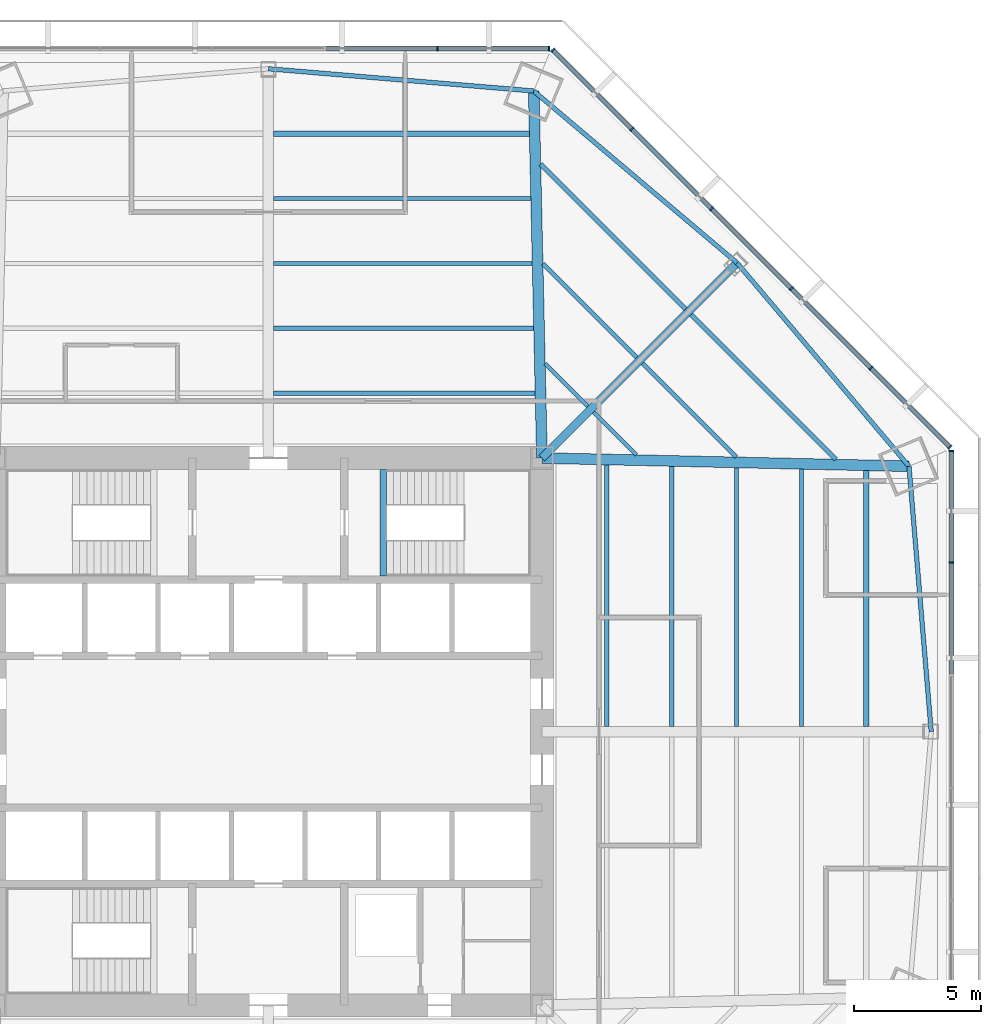
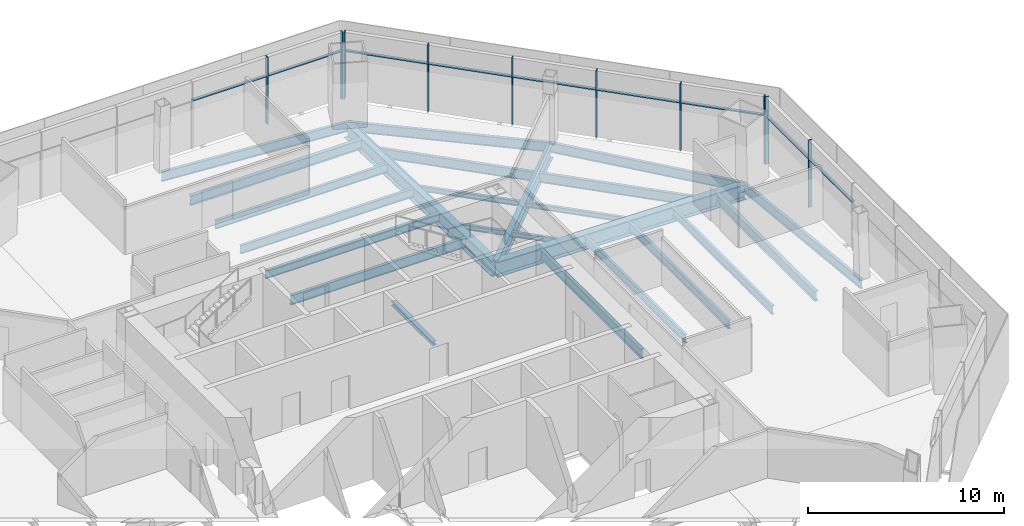
# One storey, part 6 of 15: 24 beams, 19 members, 3 elements without a shape of their own.
"""IFC4 building model written with IfcOpenShell, lengths in metres."""

import ifcopenshell
import ifcopenshell.guid

model = None  # the IFC model being written
_history = None  # IfcOwnerHistory: only IFC2X3 demands one
_inside = {}  # id of a spatial element -> (the spatial element, [elements in it])
_under = {}  # id of a project, library or spatial element -> (it, [spatial elements below it])
_declared = {}  # id of a project -> (the project, [libraries it declares])
_typed = {}  # id of a type object -> (the type object, [elements of that type])
_made_of = {}  # id of a material, layer set ... -> (it, [elements and type objects made of it])


def new_model(schema):
    """Start an empty IFC model of exactly this schema.

    Asked for "IFC4X3", IfcOpenShell would pick the latest addendum, in which some entities
    have other attributes; the version numbers below select the first issue.
    IFC2X3 requires an IfcOwnerHistory on every rooted entity: one is made here for all.
    """
    global model, _history
    if schema == "IFC4X3":
        model = ifcopenshell.file(schema_version=(4, 3, 0, 0))
    else:
        model = ifcopenshell.file(schema=schema)
    _inside.clear()
    _under.clear()
    _declared.clear()
    _typed.clear()
    _made_of.clear()
    _history = None
    if model.schema == "IFC2X3":
        org = make("IfcOrganization", Name="unknown")
        user = make(
            "IfcPersonAndOrganization",
            ThePerson=make("IfcPerson", FamilyName="unknown"),
            TheOrganization=org,
        )
        app = make(
            "IfcApplication",
            ApplicationDeveloper=org,
            Version="unknown",
            ApplicationFullName="unknown",
            ApplicationIdentifier="unknown",
        )
        _history = make(
            "IfcOwnerHistory",
            OwningUser=user,
            OwningApplication=app,
            ChangeAction="ADDED",
            CreationDate=0,
        )
    return model


def make(cls, **values):
    """One entity of the class cls with the attributes given. An attribute that is None is left unset."""
    return model.create_entity(
        cls, **{name: value for name, value in values.items() if value is not None}
    )


def rooted(cls, **values):
    """An entity with a GlobalId (a new one), such as an element, a storey or a relation."""
    return make(cls, GlobalId=ifcopenshell.guid.new(), OwnerHistory=_history, **values)


def si_unit(unit_type, name, prefix=None):
    """IfcSIUnit, for example si_unit("LENGTHUNIT", "METRE", prefix="MILLI")."""
    return make("IfcSIUnit", UnitType=unit_type, Prefix=prefix, Name=name)


def assignment(units):
    """IfcUnitAssignment: the units of a project."""
    return None if units is None else make("IfcUnitAssignment", Units=units)


def point(xyz):
    """IfcCartesianPoint."""
    return None if xyz is None else make("IfcCartesianPoint", Coordinates=xyz)


def direction(xyz):
    """IfcDirection."""
    return None if xyz is None else make("IfcDirection", DirectionRatios=xyz)


def frame(location, z_axis=None, x_axis=None):
    """IfcAxis2Placement3D, a coordinate frame: its origin and axes. An axis left out is left unset."""
    return make(
        "IfcAxis2Placement3D",
        Location=point(location),
        Axis=direction(z_axis),
        RefDirection=direction(x_axis),
    )


def frame_2d(location, x_axis=None):
    """IfcAxis2Placement2D, a coordinate frame in the plane: its origin and x axis."""
    return make(
        "IfcAxis2Placement2D", Location=point(location), RefDirection=direction(x_axis)
    )


def origin():
    """The frame at (0, 0, 0) with its axes left unset."""
    return frame((0.0, 0.0, 0.0))


def origin_2d():
    """The frame at (0, 0) in the plane with its x axis left unset."""
    return frame_2d((0.0, 0.0))


def place(relative_to, where):
    """IfcLocalPlacement: puts the frame where relative to a parent placement (None: the world)."""
    return make(
        "IfcLocalPlacement", PlacementRelTo=relative_to, RelativePlacement=where
    )


def context(
    kind, dimensions, precision=None, world=None, true_north=None, identifier=None
):
    """IfcGeometricRepresentationContext, for example the 3D "Model" context."""
    return make(
        "IfcGeometricRepresentationContext",
        ContextIdentifier=identifier,
        ContextType=kind,
        CoordinateSpaceDimension=dimensions,
        Precision=precision,
        WorldCoordinateSystem=world,
        TrueNorth=true_north,
    )


def subcontext(parent, identifier, kind, view, scale=None):
    """IfcGeometricRepresentationSubContext, for example "Body" below "Model"."""
    return make(
        "IfcGeometricRepresentationSubContext",
        ContextIdentifier=identifier,
        ContextType=kind,
        ParentContext=parent,
        TargetScale=scale,
        TargetView=view,
    )


def project(units=None, contexts=None):
    """IfcProject with its units and contexts."""
    return rooted(
        "IfcProject",
        Name="project",
        RepresentationContexts=contexts,
        UnitsInContext=assignment(units),
    )


def spatial(cls, under=None, at=None, **own):
    """A site, building, storey or space (cls), placed at a placement, below another one or the project."""
    s = rooted(cls, ObjectPlacement=at, **own)
    if under is not None:
        _under.setdefault(under.id(), (under, []))[1].append(s)
    return s


def profile(cls, at=None, kind="AREA", **sizes):
    """A parametric profile (cls). Its sizes go by their IFC names, for example OverallWidth=200.0."""
    return make(cls, ProfileType=kind, Position=at, **sizes)


def rectangle(**sizes):
    """IfcRectangleProfileDef."""
    return profile("IfcRectangleProfileDef", **sizes)


def i_section(**sizes):
    """IfcIShapeProfileDef."""
    return profile("IfcIShapeProfileDef", **sizes)


def extrude(swept, where, along, depth):
    """IfcExtrudedAreaSolid: the profile swept, set in the frame where, extruded along a direction by depth."""
    return make(
        "IfcExtrudedAreaSolid",
        SweptArea=swept,
        Position=where,
        ExtrudedDirection=direction(along),
        Depth=depth,
    )


def shape(context_of_items, identifier, shape_type, items):
    """IfcShapeRepresentation: the items that make up one representation, for example the "Body"."""
    return make(
        "IfcShapeRepresentation",
        ContextOfItems=context_of_items,
        RepresentationIdentifier=identifier,
        RepresentationType=shape_type,
        Items=items,
    )


def source(mapping_origin, context_of_items, identifier, shape_type, items):
    """IfcRepresentationMap: a shape defined once, which mapped items show again and again."""
    return make(
        "IfcRepresentationMap",
        MappingOrigin=mapping_origin,
        MappedRepresentation=shape(context_of_items, identifier, shape_type, items),
    )


def transform(
    local_origin,
    x_axis=None,
    y_axis=None,
    z_axis=None,
    scale=None,
    scale2=None,
    scale3=None,
    uniform=True,
):
    """IfcCartesianTransformationOperator3D, or its non-uniform kind. x_axis, y_axis, z_axis: its Axis1, 2, 3."""
    if uniform:
        return make(
            "IfcCartesianTransformationOperator3D",
            Axis1=direction(x_axis),
            Axis2=direction(y_axis),
            LocalOrigin=point(local_origin),
            Scale=scale,
            Axis3=direction(z_axis),
        )
    return make(
        "IfcCartesianTransformationOperator3DnonUniform",
        Axis1=direction(x_axis),
        Axis2=direction(y_axis),
        LocalOrigin=point(local_origin),
        Scale=scale,
        Axis3=direction(z_axis),
        Scale2=scale2,
        Scale3=scale3,
    )


def mapped(mapping_source, mapping_target):
    """IfcMappedItem: shows the shape of a source again, moved by a transform."""
    return make(
        "IfcMappedItem", MappingSource=mapping_source, MappingTarget=mapping_target
    )


def material(Name=None, Category=None):
    """IfcMaterial."""
    return make("IfcMaterial", Name=Name, Category=Category)


def material_profile(
    of_material, cross_section, Name=None, Category=None, Priority=None
):
    """IfcMaterialProfile: a cross section and its material."""
    return make(
        "IfcMaterialProfile",
        Name=Name,
        Material=of_material,
        Profile=cross_section,
        Priority=Priority,
        Category=Category,
    )


def profile_set(profiles, Name=None, composite=None):
    """IfcMaterialProfileSet."""
    return make(
        "IfcMaterialProfileSet",
        Name=Name,
        MaterialProfiles=profiles,
        CompositeProfile=composite,
    )


def made_of(thing, what):
    """Note that an element or type object is made of a material, layer set ...; save() writes the relation."""
    if what is not None:
        _made_of.setdefault(what.id(), (what, []))[1].append(thing)
    return thing


def type_object(cls, material=None, **own):
    """A type object (cls), such as IfcWallType, which elements share."""
    return made_of(rooted(cls, **own), material)


def type_shapes(of_type, sources):
    """Give a type object the sources (RepresentationMaps) that its elements show as mapped items."""
    of_type.RepresentationMaps = sources


def element(
    cls,
    number,
    at=None,
    inside=None,
    cuts=None,
    type_object=None,
    material=None,
    context=None,
    identifier="Body",
    shape_type=None,
    held_by="IfcProductDefinitionShape",
    body=None,
    shapes=None,
    **own,
):
    """One element of the class cls, such as IfcWall. Its Tag is "e" and its number.

    at: its placement. inside: the storey or other place that contains it. cuts: it is an
    opening in that element (IfcRelVoidsElement). A single representation is given by context,
    identifier, shape_type and body (its items); several are given by shapes. held_by: the class
    of the entity that holds the representations. save() writes the other relations.
    """
    e = rooted(cls, Tag="e%d" % number, ObjectPlacement=at, **own)
    if body is not None:
        shapes = [shape(context, identifier, shape_type, body)]
    if shapes is not None:
        e.Representation = make(held_by, Representations=shapes)
    if inside is not None:
        _inside.setdefault(inside.id(), (inside, []))[1].append(e)
    if cuts is not None:
        rooted(
            "IfcRelVoidsElement", RelatingBuildingElement=cuts, RelatedOpeningElement=e
        )
    if type_object is not None:
        _typed.setdefault(type_object.id(), (type_object, []))[1].append(e)
    return made_of(e, material)


def aggregate(whole, parts):
    """IfcRelAggregates: a whole, such as a stair, and the parts it consists of."""
    return rooted("IfcRelAggregates", RelatingObject=whole, RelatedObjects=parts)


def save(model, path):
    """Write the relations noted so far, then the file.

    IfcRelAggregates (storeys below a building ...), IfcRelContainedInSpatialStructure (elements
    in a storey), IfcRelDefinesByType, IfcRelAssociatesMaterial and IfcRelDeclares: one each for
    every whole, place, type object, material and project.
    """
    for whole, parts in _under.values():
        aggregate(whole, parts)
    for where, things in _inside.values():
        rooted(
            "IfcRelContainedInSpatialStructure",
            RelatedElements=things,
            RelatingStructure=where,
        )
    for kind, things in _typed.values():
        rooted("IfcRelDefinesByType", RelatedObjects=things, RelatingType=kind)
    for what, things in _made_of.values():
        rooted("IfcRelAssociatesMaterial", RelatedObjects=things, RelatingMaterial=what)
    for by, libraries in _declared.values():
        rooted("IfcRelDeclares", RelatingContext=by, RelatedDefinitions=libraries)
    model.write(path)


model = new_model("IFC4")

# Units and contexts
model_context = context("Model", 3, precision=1e-05, world=origin(), true_north=direction((0.0, 1.0)))
body_context = subcontext(model_context, "Body", "Model", "MODEL_VIEW")
ifc_project = project(units=[si_unit("LENGTHUNIT", "METRE"), si_unit("AREAUNIT", "SQUARE_METRE"), si_unit("VOLUMEUNIT", "CUBIC_METRE"), si_unit("PLANEANGLEUNIT", "RADIAN"), si_unit("MASSUNIT", "GRAM", prefix="KILO")], contexts=[model_context])

# Site, building, storey
site_placement = place(None, origin())
site = spatial("IfcSite", under=ifc_project, at=site_placement, CompositionType="ELEMENT")
building_placement = place(site_placement, origin())
building = spatial("IfcBuilding", under=site, at=building_placement, Name="Mashrafa Tower", CompositionType="ELEMENT")
storey_placement = place(building_placement, frame((0.0, 0.0, 37.199951171875)))
storey = spatial("IfcBuildingStorey", under=building, at=storey_placement, Name="L07", CompositionType="ELEMENT", Elevation=37.199951171875)

# Beams
ifc_material_1 = material(Name="Steel ASTM A992", Category="steel")
ifc_material_profile_1 = material_profile(ifc_material_1, i_section(OverallWidth=0.164794921875, OverallDepth=0.309814453125, WebThickness=0.005859375, FlangeThickness=0.009765625, FilletRadius=0.007568359375, at=origin_2d()), Name="W12X26")
ifc_profile_set_1 = profile_set([ifc_material_profile_1], Name="Steel ASTM A992")
beam_type_1 = type_object("IfcBeamType", Name="Beam W12X26", PredefinedType="BEAM", material=ifc_profile_set_1)
beam_1_placement = place(storey_placement, frame((10.84033203125, 18.462646484375, -0.31982421875), z_axis=(0.707106781187, -0.707106781187, 0.0), x_axis=(0.707106781187, 0.707106781187, 0.0)))
element("IfcBeam", 1, at=beam_1_placement, inside=storey, type_object=beam_type_1, Name="Floor beam L07 041", PredefinedType="BEAM", context=body_context, shape_type="SweptSolid", body=[
    extrude(i_section(OverallWidth=0.164794921875, OverallDepth=0.309814453125, WebThickness=0.005859375, FlangeThickness=0.009765625, FilletRadius=0.007568359375, at=origin_2d()), origin(), (0.0, 0.0, 1.0), 5.236083984375),
])
for number, where, z_axis, x_axis, name in (
    (2, (10.9287109375, 14.522705078125, -0.31982421875), (0.707106781187, -0.707106781187, 0.0), (0.707106781187, 0.707106781187, 0.0), "Floor beam L07 044"),
    (3, (12.83447265625, 12.616943359375, -0.31982421875), (0.707106781187, -0.707106781187, 0.0), (0.707106781187, 0.707106781187, 0.0), "Floor beam L07 047"),
):
    element("IfcBeam", number, at=place(storey_placement, frame(where, z_axis=z_axis, x_axis=x_axis)), inside=storey, type_object=beam_type_1, Name=name, PredefinedType="BEAM", context=body_context, shape_type="SweptSolid", body=[
        extrude(i_section(OverallWidth=0.164794921875, OverallDepth=0.309814453125, WebThickness=0.005859375, FlangeThickness=0.009765625, FilletRadius=0.007568359375, at=origin_2d()), origin(), (0.0, 0.0, 1.0), 2.387451171875),
    ])
beam_2_placement = place(storey_placement, frame((14.76025390625, 14.542724609375, -0.31982421875), z_axis=(0.707106781187, -0.707106781187, 0.0), x_axis=(0.707106781187, 0.707106781187, 0.0)))
element("IfcBeam", 4, at=beam_2_placement, inside=storey, type_object=beam_type_1, Name="Floor beam L07 051", PredefinedType="BEAM", context=body_context, shape_type="SweptSolid", body=[
    extrude(i_section(OverallWidth=0.164794921875, OverallDepth=0.309814453125, WebThickness=0.005859375, FlangeThickness=0.009765625, FilletRadius=0.007568359375, at=origin_2d()), origin(), (0.0, 0.0, 1.0), 5.236083984375),
])
ifc_material_2 = material(Name="Steel ASTM A992", Category="steel")
ifc_material_profile_2 = material_profile(ifc_material_2, i_section(OverallWidth=0.165771484375, OverallDepth=0.5283203125, WebThickness=0.009765625, FlangeThickness=0.013671875, FilletRadius=0.012939453125, at=origin_2d()), Name="W21X50")
ifc_profile_set_2 = profile_set([ifc_material_profile_2], Name="Steel ASTM A992")
beam_type_2 = type_object("IfcBeamType", Name="Beam W21X50", PredefinedType="BEAM", material=ifc_profile_set_2)
beam_3_placement = place(storey_placement, frame((0.20458984375, 15.92236328125, -0.42919921875), z_axis=(1.0, 0.0, 0.0), x_axis=(0.0, 1.0, 0.0)))
element("IfcBeam", 5, at=beam_3_placement, inside=storey, type_object=beam_type_2, Name="Floor beam L07 034", PredefinedType="BEAM", context=body_context, shape_type="SweptSolid", body=[
    extrude(i_section(OverallWidth=0.165771484375, OverallDepth=0.5283203125, WebThickness=0.009765625, FlangeThickness=0.013671875, FilletRadius=0.012939453125, at=origin_2d()), origin(), (0.0, 0.0, 1.0), 10.268310546875),
])
beam_4_placement = place(storey_placement, frame((0.20458984375, 18.4833984375, -0.42919921875), z_axis=(1.0, 0.0, 0.0), x_axis=(0.0, 1.0, 0.0)))
element("IfcBeam", 6, at=beam_4_placement, inside=storey, type_object=beam_type_2, Name="Floor beam L07 035", PredefinedType="BEAM", context=body_context, shape_type="SweptSolid", body=[
    extrude(i_section(OverallWidth=0.165771484375, OverallDepth=0.5283203125, WebThickness=0.009765625, FlangeThickness=0.013671875, FilletRadius=0.012939453125, at=origin_2d()), origin(), (0.0, 0.0, 1.0), 10.2109375),
])
beam_5_placement = place(storey_placement, frame((0.20458984375, 21.044677734375, -0.42919921875), z_axis=(1.0, 0.0, 0.0), x_axis=(0.0, 1.0, 0.0)))
element("IfcBeam", 7, at=beam_5_placement, inside=storey, type_object=beam_type_2, Name="Floor beam L07 036", PredefinedType="BEAM", context=body_context, shape_type="SweptSolid", body=[
    extrude(i_section(OverallWidth=0.165771484375, OverallDepth=0.5283203125, WebThickness=0.009765625, FlangeThickness=0.013671875, FilletRadius=0.012939453125, at=origin_2d()), origin(), (0.0, 0.0, 1.0), 10.153564453125),
])
beam_6_placement = place(storey_placement, frame((15.92236328125, 10.472900390625, -0.42919921875), z_axis=(0.0, -1.0, 0.0), x_axis=(1.0, 0.0, 0.0)))
element("IfcBeam", 8, at=beam_6_placement, inside=storey, type_object=beam_type_2, Name="Floor beam L07 054", PredefinedType="BEAM", context=body_context, shape_type="SweptSolid", body=[
    extrude(i_section(OverallWidth=0.165771484375, OverallDepth=0.5283203125, WebThickness=0.009765625, FlangeThickness=0.013671875, FilletRadius=0.012939453125, at=origin_2d()), origin(), (0.0, 0.0, 1.0), 10.268310546875),
])
beam_7_placement = place(storey_placement, frame((18.4833984375, 10.41552734375, -0.42919921875), z_axis=(0.0, -1.0, 0.0), x_axis=(1.0, 0.0, 0.0)))
element("IfcBeam", 9, at=beam_7_placement, inside=storey, type_object=beam_type_2, Name="Floor beam L07 058", PredefinedType="BEAM", context=body_context, shape_type="SweptSolid", body=[
    extrude(i_section(OverallWidth=0.165771484375, OverallDepth=0.5283203125, WebThickness=0.009765625, FlangeThickness=0.013671875, FilletRadius=0.012939453125, at=origin_2d()), origin(), (0.0, 0.0, 1.0), 10.2109375),
])
beam_8_placement = place(storey_placement, frame((21.044677734375, 10.358154296875, -0.42919921875), z_axis=(0.0, -1.0, 0.0), x_axis=(1.0, 0.0, 0.0)))
element("IfcBeam", 10, at=beam_8_placement, inside=storey, type_object=beam_type_2, Name="Floor beam L07 061", PredefinedType="BEAM", context=body_context, shape_type="SweptSolid", body=[
    extrude(i_section(OverallWidth=0.165771484375, OverallDepth=0.5283203125, WebThickness=0.009765625, FlangeThickness=0.013671875, FilletRadius=0.012939453125, at=origin_2d()), origin(), (0.0, 0.0, 1.0), 10.153564453125),
])
ifc_material_3 = material(Name="Steel ASTM A992", Category="steel")
ifc_material_profile_3 = material_profile(ifc_material_3, i_section(OverallWidth=0.177978515625, OverallDepth=0.599365234375, WebThickness=0.010009765625, FlangeThickness=0.012939453125, FilletRadius=0.012939453125, at=origin_2d()), Name="W24X55")
ifc_profile_set_3 = profile_set([ifc_material_profile_3], Name="Steel ASTM A992")
beam_type_3 = type_object("IfcBeamType", Name="Beam W24X55", PredefinedType="BEAM", material=ifc_profile_set_3)
beam_9_placement = place(storey_placement, frame((0.20458984375, 13.361083984375, -0.464599609375), z_axis=(1.0, 0.0, 0.0), x_axis=(0.0, 1.0, 0.0)))
element("IfcBeam", 11, at=beam_9_placement, inside=storey, type_object=beam_type_3, Name="Floor beam L07 033", PredefinedType="BEAM", context=body_context, shape_type="SweptSolid", body=[
    extrude(i_section(OverallWidth=0.177978515625, OverallDepth=0.599365234375, WebThickness=0.010009765625, FlangeThickness=0.012939453125, FilletRadius=0.012939453125, at=origin_2d()), origin(), (0.0, 0.0, 1.0), 10.325927734375),
])
beam_10_placement = place(storey_placement, frame((10.751953125, 22.402587890625, -0.464599609375), z_axis=(0.707091681908, -0.707121880143, 0.0), x_axis=(0.707121880143, 0.707091681908, 0.0)))
element("IfcBeam", 12, at=beam_10_placement, inside=storey, type_object=beam_type_3, Name="Floor beam L07 039", PredefinedType="BEAM", context=body_context, shape_type="SweptSolid", body=[
    extrude(i_section(OverallWidth=0.177978515625, OverallDepth=0.599365234375, WebThickness=0.010009765625, FlangeThickness=0.012939453125, FilletRadius=0.012939453125, at=origin_2d()), origin(), (0.0, 0.0, 1.0), 8.084716796875),
])
beam_11_placement = place(storey_placement, frame((13.361083984375, 10.530517578125, -0.464599609375), z_axis=(0.0, -1.0, 0.0), x_axis=(1.0, 0.0, 0.0)))
element("IfcBeam", 13, at=beam_11_placement, inside=storey, type_object=beam_type_3, Name="Floor beam L07 049", PredefinedType="BEAM", context=body_context, shape_type="SweptSolid", body=[
    extrude(i_section(OverallWidth=0.177978515625, OverallDepth=0.599365234375, WebThickness=0.010009765625, FlangeThickness=0.012939453125, FilletRadius=0.012939453125, at=origin_2d()), origin(), (0.0, 0.0, 1.0), 10.325927734375),
])
beam_12_placement = place(storey_placement, frame((16.685791015625, 16.468505859375, -0.464599609375), z_axis=(0.707121880143, -0.707091681908, 0.0), x_axis=(0.707091681908, 0.707121880143, 0.0)))
element("IfcBeam", 14, at=beam_12_placement, inside=storey, type_object=beam_type_3, Name="Floor beam L07 056", PredefinedType="BEAM", context=body_context, shape_type="SweptSolid", body=[
    extrude(i_section(OverallWidth=0.177978515625, OverallDepth=0.599365234375, WebThickness=0.010009765625, FlangeThickness=0.012939453125, FilletRadius=0.012939453125, at=origin_2d()), origin(), (0.0, 0.0, 1.0), 8.084716796875),
])
beam_13_placement = place(storey_placement, frame((10.47509765625, 25.288818359375, -0.464599609375), z_axis=(-0.996504309861, 0.083541369565, 0.0), x_axis=(-0.083541369565, -0.996504309861, 0.0)))
element("IfcBeam", 15, at=beam_13_placement, inside=storey, type_object=beam_type_3, Name="Spandrel beam L07 091", PredefinedType="BEAM", context=body_context, shape_type="SweptSolid", body=[
    extrude(i_section(OverallWidth=0.177978515625, OverallDepth=0.599365234375, WebThickness=0.010009765625, FlangeThickness=0.012939453125, FilletRadius=0.012939453125, at=origin_2d()), origin(), (0.0, 0.0, 1.0), 10.511962890625),
])
for number, where, z_axis, x_axis, name in (
    (16, (18.5029296875, 18.5029296875, -0.464599609375), (-0.763709508366, 0.645560056719, 0.0), (-0.645560056719, -0.763709508366, 0.0), "Spandrel beam L07 093"),
    (17, (25.288818359375, 10.47509765625, -0.464599609375), (-0.645560056719, 0.763709508366, 0.0), (-0.763709508366, -0.645560056719, 0.0), "Spandrel beam L07 095"),
):
    element("IfcBeam", number, at=place(storey_placement, frame(where, z_axis=z_axis, x_axis=x_axis)), inside=storey, type_object=beam_type_3, Name=name, PredefinedType="BEAM", context=body_context, shape_type="SweptSolid", body=[
        extrude(i_section(OverallWidth=0.177978515625, OverallDepth=0.599365234375, WebThickness=0.010009765625, FlangeThickness=0.012939453125, FilletRadius=0.012939453125, at=origin_2d()), origin(), (0.0, 0.0, 1.0), 10.51171875),
    ])
beam_14_placement = place(storey_placement, frame((26.1669921875, 0.0, -0.464599609375), z_axis=(-0.083541369565, 0.996504309861, 0.0), x_axis=(-0.996504309861, -0.083541369565, 0.0)))
element("IfcBeam", 18, at=beam_14_placement, inside=storey, type_object=beam_type_3, Name="Spandrel beam L07 096", PredefinedType="BEAM", context=body_context, shape_type="SweptSolid", body=[
    extrude(i_section(OverallWidth=0.177978515625, OverallDepth=0.599365234375, WebThickness=0.010009765625, FlangeThickness=0.012939453125, FilletRadius=0.012939453125, at=origin_2d()), origin(), (0.0, 0.0, 1.0), 10.511962890625),
])
ifc_material_4 = material(Name="Steel ASTM A992", Category="steel")
ifc_material_profile_4 = material_profile(ifc_material_4, i_section(OverallWidth=0.227783203125, OverallDepth=0.60205078125, WebThickness=0.010498046875, FlangeThickness=0.014892578125, FilletRadius=0.012939453125, at=origin_2d()), Name="W24X68")
ifc_profile_set_4 = profile_set([ifc_material_profile_4], Name="Steel ASTM A992")
beam_type_4 = type_object("IfcBeamType", Name="Beam W24X68", PredefinedType="BEAM", material=ifc_profile_set_4)
for number, where, z_axis, x_axis, name in (
    (19, (0.20458984375, 23.605712890625, -0.4658203125), (1.0, 0.0, 0.0), (0.0, 1.0, 0.0), "Floor beam L07 037"),
    (20, (23.605712890625, 10.30078125, -0.4658203125), (0.0, -1.0, 0.0), (1.0, 0.0, 0.0), "Floor beam L07 064"),
):
    element("IfcBeam", number, at=place(storey_placement, frame(where, z_axis=z_axis, x_axis=x_axis)), inside=storey, type_object=beam_type_4, Name=name, PredefinedType="BEAM", context=body_context, shape_type="SweptSolid", body=[
        extrude(i_section(OverallWidth=0.227783203125, OverallDepth=0.60205078125, WebThickness=0.010498046875, FlangeThickness=0.014892578125, FilletRadius=0.012939453125, at=origin_2d()), origin(), (0.0, 0.0, 1.0), 10.09619140625),
    ])
ifc_material_5 = material(Name="Steel ASTM A992", Category="steel")
ifc_material_profile_5 = material_profile(ifc_material_5, i_section(OverallWidth=0.307373046875, OverallDepth=0.927001953125, WebThickness=0.01953125, FlangeThickness=0.031982421875, FilletRadius=0.01904296875, at=origin_2d()), Name="W36X194")
ifc_profile_set_5 = profile_set([ifc_material_profile_5], Name="Steel ASTM A992")
beam_type_5 = type_object("IfcBeamType", Name="Beam W36X194", PredefinedType="BEAM", material=ifc_profile_set_5)
beam_15_placement = place(storey_placement, frame((10.800048828125, 10.800048828125, -0.62841796875), z_axis=(0.707106781187, 0.707106781187, 0.0), x_axis=(-0.707106781187, 0.707106781187, 0.0)))
element("IfcBeam", 21, at=beam_15_placement, inside=storey, type_object=beam_type_5, Name="Radial girder L07 079", PredefinedType="BEAM", context=body_context, shape_type="SweptSolid", body=[
    extrude(i_section(OverallWidth=0.307373046875, OverallDepth=0.927001953125, WebThickness=0.01953125, FlangeThickness=0.031982421875, FilletRadius=0.01904296875, at=origin_2d()), origin(), (0.0, 0.0, 1.0), 10.8935546875),
])
ifc_material_6 = material(Name="Steel ASTM A992", Category="steel")
ifc_material_profile_6 = material_profile(ifc_material_6, i_section(OverallWidth=0.424072265625, OverallDepth=0.960205078125, WebThickness=0.028564453125, FlangeThickness=0.051025390625, FilletRadius=0.02001953125, at=origin_2d()), Name="W36X361")
ifc_profile_set_6 = profile_set([ifc_material_profile_6], Name="Steel ASTM A992")
beam_type_6 = type_object("IfcBeamType", Name="Beam W36X361", PredefinedType="BEAM", material=ifc_profile_set_6)
for number, where, z_axis, x_axis, name in (
    (22, (10.800048828125, 10.800048828125, -0.64501953125), (-0.022422157782, 0.999748591817, 0.0), (-0.999748591817, -0.022422157782, 0.0), "Radial girder L07 078"),
    (23, (10.800048828125, 10.800048828125, -0.64501953125), (0.999748591817, -0.022422157782, 0.0), (0.022422157782, 0.999748591817, 0.0), "Radial girder L07 080"),
):
    element("IfcBeam", number, at=place(storey_placement, frame(where, z_axis=z_axis, x_axis=x_axis)), inside=storey, type_object=beam_type_6, Name=name, PredefinedType="BEAM", context=body_context, shape_type="SweptSolid", body=[
        extrude(i_section(OverallWidth=0.424072265625, OverallDepth=0.960205078125, WebThickness=0.028564453125, FlangeThickness=0.051025390625, FilletRadius=0.02001953125, at=origin_2d()), origin(), (0.0, 0.0, 1.0), 14.492431640625),
    ])
ifc_material_7 = material(Name="Steel ASTM A992", Category="steel")
ifc_material_profile_7 = material_profile(ifc_material_7, i_section(OverallWidth=0.25390625, OverallDepth=0.25390625, WebThickness=0.008544921875, FlangeThickness=0.01416015625, FilletRadius=0.010009765625, at=origin_2d()), Name="W10X49")
ifc_profile_set_7 = profile_set([ifc_material_profile_7], Name="Steel ASTM A992")
beam_type_7 = type_object("IfcBeamType", Name="Hoistway beam W10X49", PredefinedType="BEAM", material=ifc_profile_set_7)
beam_16_placement = place(storey_placement, frame((4.530029296875, 6.14990234375, -0.326904296875), z_axis=(0.0, 1.0, 0.0), x_axis=(-1.0, 0.0, 0.0)))
element("IfcBeam", 24, at=beam_16_placement, inside=storey, type_object=beam_type_7, Name="Stair S2 landing beam L07", PredefinedType="BEAM", context=body_context, shape_type="SweptSolid", body=[
    extrude(i_section(OverallWidth=0.25390625, OverallDepth=0.25390625, WebThickness=0.008544921875, FlangeThickness=0.01416015625, FilletRadius=0.010009765625, at=origin_2d()), origin(), (0.0, 0.0, 1.0), 4.2001953125),
])

# Curtain wall, members
ifc_material_8 = material(Name="Unitised aluminium curtain wall", Category="aluminium")
curtain_wall_type = type_object("IfcCurtainWallType", Name="Office curtain wall, zone 1 CW-A 200 deep", PredefinedType="NOTDEFINED", material=ifc_material_8)
curtain_wall_1_placement = place(storey_placement, origin())
curtain_wall_1 = element("IfcCurtainWall", 25, at=curtain_wall_1_placement, inside=storey, type_object=curtain_wall_type, Name="Office curtain wall, zone 1 L07 east", PredefinedType="NOTDEFINED")
ifc_material_9 = material(Name="Extruded aluminium mullion", Category="aluminium")
ifc_material_profile_8 = material_profile(ifc_material_9, rectangle(XDim=0.199951171875, YDim=0.06494140625, at=origin_2d()), Name="Mullion 65x200")
ifc_profile_set_8 = profile_set([ifc_material_profile_8], Name="Extruded aluminium mullion")
member_type_1 = type_object("IfcMemberType", Name="Mullion CW-A 65 x 200", PredefinedType="MULLION", material=ifc_profile_set_8)
shared_shape_1 = source(origin(), body_context, "Body", "SweptSolid", [
    extrude(rectangle(XDim=0.199951171875, YDim=0.06494140625, at=origin_2d()), origin(), (0.0, 0.0, 1.0), 4.199951171875),
])
type_shapes(member_type_1, [shared_shape_1])
member_1_placement = place(storey_placement, frame((26.96240234375, 6.670166015625, 0.0), z_axis=(0.0, 0.0, 1.0), x_axis=(-1.0, 0.0, 0.0)))
member_1 = element("IfcMember", 26, at=member_1_placement, type_object=member_type_1, Name="CW-A mullion 5", PredefinedType="MULLION", context=body_context, shape_type="MappedRepresentation", body=[
    mapped(shared_shape_1, transform((0.0, 0.0, 0.0))),
])
member_2_placement = place(storey_placement, frame((26.96240234375, 11.084228515625, 0.0), z_axis=(0.0, 0.0, 1.0), x_axis=(-1.0, 0.0, 0.0)))
member_2 = element("IfcMember", 27, at=member_2_placement, type_object=member_type_1, Name="CW-A mullion 6", PredefinedType="MULLION", context=body_context, shape_type="MappedRepresentation", body=[
    mapped(shared_shape_1, transform((0.0, 0.0, 0.0))),
])

curtain_wall_2_placement = place(storey_placement, origin())
curtain_wall_2 = element("IfcCurtainWall", 28, at=curtain_wall_2_placement, inside=storey, type_object=curtain_wall_type, Name="Office curtain wall, zone 1 L07 north-east", PredefinedType="NOTDEFINED")
member_3_placement = place(storey_placement, frame((26.903076171875, 11.2275390625, 0.0), z_axis=(0.0, 0.0, 1.0), x_axis=(-0.707106781187, -0.707106781187, 0.0)))
member_3 = element("IfcMember", 29, at=member_3_placement, type_object=member_type_1, Name="CW-A mullion 1", PredefinedType="MULLION", context=body_context, shape_type="MappedRepresentation", body=[
    mapped(shared_shape_1, transform((0.0, 0.0, 0.0))),
])
member_4_placement = place(storey_placement, frame((23.78173828125, 14.348876953125, 0.0), z_axis=(0.0, 0.0, 1.0), x_axis=(-0.707106781187, -0.707106781187, 0.0)))
member_4 = element("IfcMember", 30, at=member_4_placement, type_object=member_type_1, Name="CW-A mullion 2", PredefinedType="MULLION", context=body_context, shape_type="MappedRepresentation", body=[
    mapped(shared_shape_1, transform((0.0, 0.0, 0.0))),
])
member_5_placement = place(storey_placement, frame((20.637451171875, 17.4931640625, 0.0), z_axis=(0.0, 0.0, 1.0), x_axis=(-0.707106781187, -0.707106781187, 0.0)))
member_5 = element("IfcMember", 31, at=member_5_placement, type_object=member_type_1, Name="CW-A mullion 3", PredefinedType="MULLION", context=body_context, shape_type="MappedRepresentation", body=[
    mapped(shared_shape_1, transform((0.0, 0.0, 0.0))),
])
member_6_placement = place(storey_placement, frame((17.4931640625, 20.637451171875, 0.0), z_axis=(0.0, 0.0, 1.0), x_axis=(-0.707106781187, -0.707106781187, 0.0)))
member_6 = element("IfcMember", 32, at=member_6_placement, type_object=member_type_1, Name="CW-A mullion 4", PredefinedType="MULLION", context=body_context, shape_type="MappedRepresentation", body=[
    mapped(shared_shape_1, transform((0.0, 0.0, 0.0))),
])
member_7_placement = place(storey_placement, frame((14.348876953125, 23.78173828125, 0.0), z_axis=(0.0, 0.0, 1.0), x_axis=(-0.707106781187, -0.707106781187, 0.0)))
member_7 = element("IfcMember", 33, at=member_7_placement, type_object=member_type_1, Name="CW-A mullion 5", PredefinedType="MULLION", context=body_context, shape_type="MappedRepresentation", body=[
    mapped(shared_shape_1, transform((0.0, 0.0, 0.0))),
])
member_8_placement = place(storey_placement, frame((11.2275390625, 26.903076171875, 0.0), z_axis=(0.0, 0.0, 1.0), x_axis=(-0.707106781187, -0.707106781187, 0.0)))
member_8 = element("IfcMember", 34, at=member_8_placement, type_object=member_type_1, Name="CW-A mullion 6", PredefinedType="MULLION", context=body_context, shape_type="MappedRepresentation", body=[
    mapped(shared_shape_1, transform((0.0, 0.0, 0.0))),
])

curtain_wall_3_placement = place(storey_placement, origin())
curtain_wall_3 = element("IfcCurtainWall", 35, at=curtain_wall_3_placement, inside=storey, type_object=curtain_wall_type, Name="Office curtain wall, zone 1 L07 north", PredefinedType="NOTDEFINED")
member_9_placement = place(storey_placement, frame((11.084228515625, 26.96240234375, 0.0), z_axis=(0.0, 0.0, 1.0), x_axis=(0.0, -1.0, 0.0)))
member_9 = element("IfcMember", 36, at=member_9_placement, type_object=member_type_1, Name="CW-A mullion 1", PredefinedType="MULLION", context=body_context, shape_type="MappedRepresentation", body=[
    mapped(shared_shape_1, transform((0.0, 0.0, 0.0))),
])
member_10_placement = place(storey_placement, frame((6.670166015625, 26.96240234375, 0.0), z_axis=(0.0, 0.0, 1.0), x_axis=(0.0, -1.0, 0.0)))
member_10 = element("IfcMember", 37, at=member_10_placement, type_object=member_type_1, Name="CW-A mullion 2", PredefinedType="MULLION", context=body_context, shape_type="MappedRepresentation", body=[
    mapped(shared_shape_1, transform((0.0, 0.0, 0.0))),
])

# Member
ifc_material_10 = material(Name="Extruded aluminium transom", Category="aluminium")
ifc_material_profile_9 = material_profile(ifc_material_10, rectangle(XDim=0.159912109375, YDim=0.080078125, at=origin_2d()), Name="Transom 80x160")
ifc_profile_set_9 = profile_set([ifc_material_profile_9], Name="Extruded aluminium transom")
member_type_2 = type_object("IfcMemberType", Name="Transom CW-A 80 x 160", PredefinedType="MULLION", material=ifc_profile_set_9)
shared_shape_2 = source(origin(), body_context, "Body", "SweptSolid", [
    extrude(rectangle(XDim=0.159912109375, YDim=0.080078125, at=origin_2d()), origin(), (0.0, 0.0, 1.0), 4.34912109375),
])
member_11_placement = place(storey_placement, frame((26.96240234375, 6.70263671875, 3.0), z_axis=(0.0, 1.0, 0.0), x_axis=(-1.0, 0.0, 0.0)))
member_11 = element("IfcMember", 38, at=member_11_placement, type_object=member_type_2, Name="CW-A transom 5", PredefinedType="MULLION", context=body_context, shape_type="MappedRepresentation", body=[
    mapped(shared_shape_2, transform((0.0, 0.0, 0.0))),
])

member_12_placement = place(storey_placement, frame((11.0517578125, 26.96240234375, 3.0), z_axis=(-1.0, 0.0, 0.0), x_axis=(0.0, -1.0, 0.0)))
member_12 = element("IfcMember", 39, at=member_12_placement, type_object=member_type_2, Name="CW-A transom 1", PredefinedType="MULLION", context=body_context, shape_type="MappedRepresentation", body=[
    mapped(shared_shape_2, transform((0.0, 0.0, 0.0))),
])

shared_shape_3 = source(origin(), body_context, "Body", "SweptSolid", [
    extrude(rectangle(XDim=0.159912109375, YDim=0.080078125, at=origin_2d()), origin(), (0.0, 0.0, 1.0), 4.381591796875),
])
member_13_placement = place(storey_placement, frame((26.96240234375, 2.255859375, 3.0), z_axis=(0.0, 1.0, 0.0), x_axis=(-1.0, 0.0, 0.0)))
member_13 = element("IfcMember", 40, at=member_13_placement, type_object=member_type_2, Name="CW-A transom 4", PredefinedType="MULLION", context=body_context, shape_type="MappedRepresentation", body=[
    mapped(shared_shape_3, transform((0.0, 0.0, 0.0))),
])

aggregate(curtain_wall_1, [member_1, member_2, member_13, member_11])

member_14_placement = place(storey_placement, frame((6.637451171875, 26.96240234375, 3.0), z_axis=(-1.0, 0.0, 0.0), x_axis=(0.0, -1.0, 0.0)))
member_14 = element("IfcMember", 41, at=member_14_placement, type_object=member_type_2, Name="CW-A transom 2", PredefinedType="MULLION", context=body_context, shape_type="MappedRepresentation", body=[
    mapped(shared_shape_3, transform((0.0, 0.0, 0.0))),
])

aggregate(curtain_wall_3, [member_9, member_10, member_12, member_14])

shared_shape_4 = source(origin(), body_context, "Body", "SweptSolid", [
    extrude(rectangle(XDim=0.159912109375, YDim=0.080078125, at=origin_2d()), origin(), (0.0, 0.0, 1.0), 4.3818359375),
])
member_15_placement = place(storey_placement, frame((23.7587890625, 14.371826171875, 3.0), z_axis=(-0.707106781187, 0.707106781187, 0.0), x_axis=(-0.707106781187, -0.707106781187, 0.0)))
member_15 = element("IfcMember", 42, at=member_15_placement, type_object=member_type_2, Name="CW-A transom 2", PredefinedType="MULLION", context=body_context, shape_type="MappedRepresentation", body=[
    mapped(shared_shape_4, transform((0.0, 0.0, 0.0))),
])

member_16_placement = place(storey_placement, frame((20.614501953125, 17.51611328125, 3.0), z_axis=(-0.707106781187, 0.707106781187, 0.0), x_axis=(-0.707106781187, -0.707106781187, 0.0)))
member_16 = element("IfcMember", 43, at=member_16_placement, type_object=member_type_2, Name="CW-A transom 3", PredefinedType="MULLION", context=body_context, shape_type="MappedRepresentation", body=[
    mapped(shared_shape_4, transform((0.0, 0.0, 0.0))),
])

member_17_placement = place(storey_placement, frame((17.47021484375, 20.660400390625, 3.0), z_axis=(-0.707106781187, 0.707106781187, 0.0), x_axis=(-0.707106781187, -0.707106781187, 0.0)))
member_17 = element("IfcMember", 44, at=member_17_placement, type_object=member_type_2, Name="CW-A transom 4", PredefinedType="MULLION", context=body_context, shape_type="MappedRepresentation", body=[
    mapped(shared_shape_4, transform((0.0, 0.0, 0.0))),
])

shared_shape_5 = source(origin(), body_context, "Body", "SweptSolid", [
    extrude(rectangle(XDim=0.159912109375, YDim=0.080078125, at=origin_2d()), origin(), (0.0, 0.0, 1.0), 4.349365234375),
])
type_shapes(member_type_2, [shared_shape_2, shared_shape_3, shared_shape_4, shared_shape_5])
member_18_placement = place(storey_placement, frame((26.880126953125, 11.25048828125, 3.0), z_axis=(-0.707106781187, 0.707106781187, 0.0), x_axis=(-0.707106781187, -0.707106781187, 0.0)))
member_18 = element("IfcMember", 45, at=member_18_placement, type_object=member_type_2, Name="CW-A transom 1", PredefinedType="MULLION", context=body_context, shape_type="MappedRepresentation", body=[
    mapped(shared_shape_5, transform((0.0, 0.0, 0.0))),
])

member_19_placement = place(storey_placement, frame((14.325927734375, 23.8046875, 3.0), z_axis=(-0.707106781187, 0.707106781187, 0.0), x_axis=(-0.707106781187, -0.707106781187, 0.0)))
member_19 = element("IfcMember", 46, at=member_19_placement, type_object=member_type_2, Name="CW-A transom 5", PredefinedType="MULLION", context=body_context, shape_type="MappedRepresentation", body=[
    mapped(shared_shape_5, transform((0.0, 0.0, 0.0))),
])

aggregate(curtain_wall_2, [member_3, member_4, member_5, member_6, member_7, member_8, member_18, member_15, member_16, member_17, member_19])

save(model, "model.ifc")
